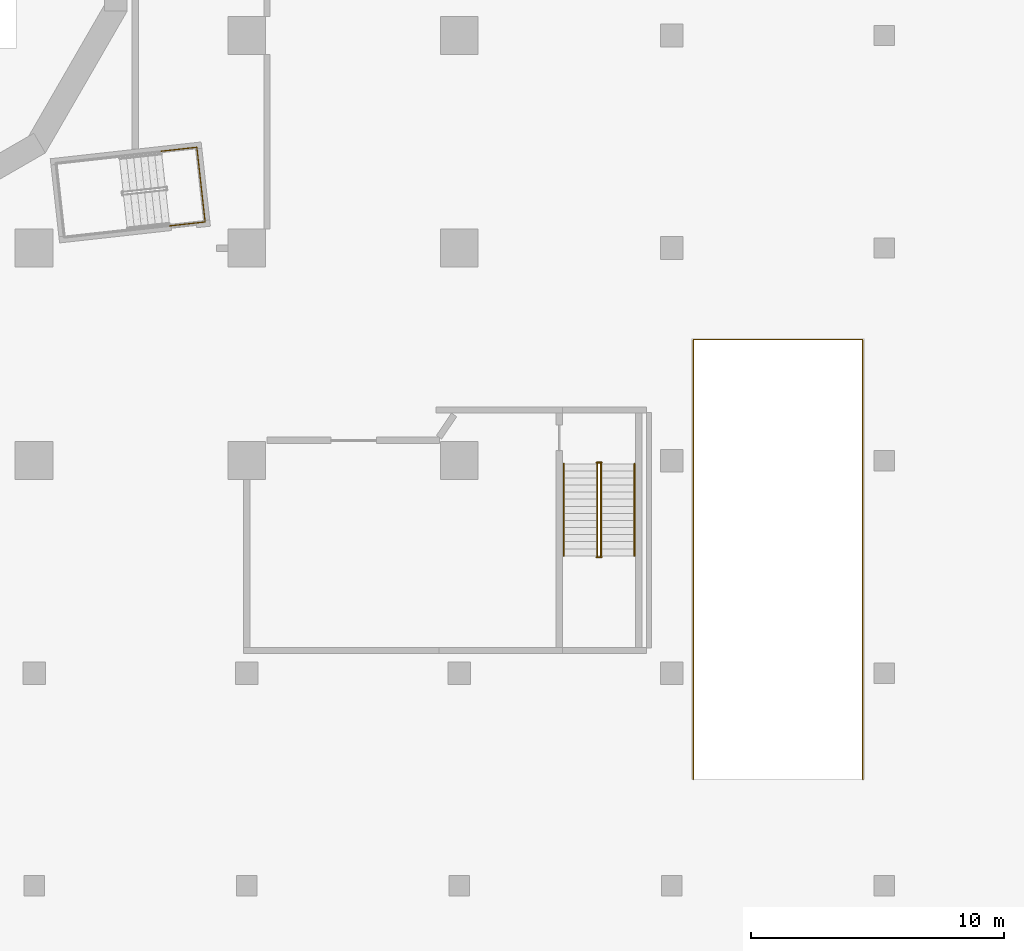
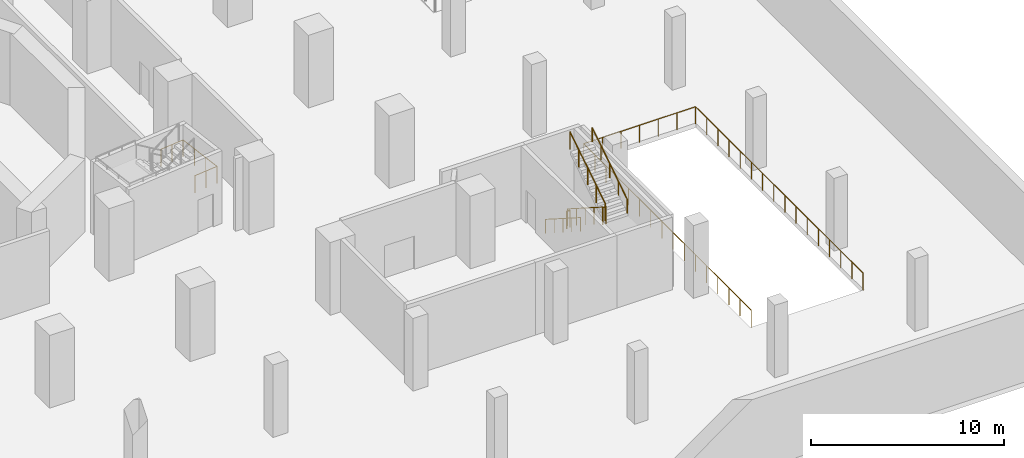
# One storey, part 17 of 20: 8 railings.
"""IFC4 building model written with IfcOpenShell, lengths in metres."""

from ifc_helpers import new_model, si_unit, direction, frame, origin, origin_2d, place, context, subcontext, project, spatial, circle, extrude, material, type_object, element, save


model = new_model("IFC4")

# Units and contexts
model_context = context("Model", 3, precision=1e-05, world=origin(), true_north=direction((0.0, 1.0)))
body_context = subcontext(model_context, "Body", "Model", "MODEL_VIEW")
ifc_project = project(units=[si_unit("LENGTHUNIT", "METRE"), si_unit("AREAUNIT", "SQUARE_METRE"), si_unit("VOLUMEUNIT", "CUBIC_METRE"), si_unit("PLANEANGLEUNIT", "RADIAN"), si_unit("MASSUNIT", "GRAM", prefix="KILO")], contexts=[model_context])

# Site, building, storey
site_placement = place(None, origin())
site = spatial("IfcSite", under=ifc_project, at=site_placement, CompositionType="ELEMENT")
building_placement = place(site_placement, origin())
building = spatial("IfcBuilding", under=site, at=building_placement, Name="Cantera Rosa Tower", CompositionType="ELEMENT")
storey_placement = place(building_placement, frame((0.0, 0.0, -5.0)))
storey = spatial("IfcBuildingStorey", under=building, at=storey_placement, Name="B1", CompositionType="ELEMENT", Elevation=-5.0)

# Railings
ifc_material_1 = material(Name="Steel S355J2 (EN 10025-2)", Category="steel")
railing_type_1 = type_object("IfcRailingType", Name="Edge guard 1100", PredefinedType="GUARDRAIL", material=ifc_material_1)
railing_1_placement = place(storey_placement, frame((34.449951171875, -33.60009765625, 0.0)))
element("IfcRailing", 1, at=railing_1_placement, inside=storey, type_object=railing_type_1, Name="Guard round ramp opening B1", PredefinedType="GUARDRAIL", context=body_context, shape_type="SweptSolid", body=[
    extrude(circle(Radius=0.02392578125, at=origin_2d()), frame((0.0, 0.0, 1.076171875), z_axis=(0.0, 1.0, 0.0), x_axis=(-1.0, 0.0, 0.0)), (0.0, 0.0, 1.0), 17.38330078125),
    extrude(circle(Radius=0.02392578125, at=origin_2d()), frame((0.0, 17.38330078125, 1.076171875), z_axis=(1.0, 0.0, 0.0), x_axis=(0.0, 1.0, 0.0)), (0.0, 0.0, 1.0), 6.699951171875),
    extrude(circle(Radius=0.02392578125, at=origin_2d()), frame((6.699951171875, 17.38330078125, 1.076171875), z_axis=(0.0, -1.0, 0.0), x_axis=(1.0, 0.0, 0.0)), (0.0, 0.0, 1.0), 17.38330078125),
    extrude(circle(Radius=0.02099609375, at=origin_2d()), origin(), (0.0, 0.0, 1.0), 1.052001953125),
    extrude(circle(Radius=0.02099609375, at=origin_2d()), frame((0.0, 1.158935546875, 0.0)), (0.0, 0.0, 1.0), 1.052001953125),
    extrude(circle(Radius=0.02099609375, at=origin_2d()), frame((0.0, 2.31787109375, 0.0)), (0.0, 0.0, 1.0), 1.052001953125),
    extrude(circle(Radius=0.02099609375, at=origin_2d()), frame((0.0, 3.4765625, 0.0)), (0.0, 0.0, 1.0), 1.052001953125),
    extrude(circle(Radius=0.02099609375, at=origin_2d()), frame((0.0, 4.635498046875, 0.0)), (0.0, 0.0, 1.0), 1.052001953125),
    extrude(circle(Radius=0.02099609375, at=origin_2d()), frame((0.0, 5.79443359375, 0.0)), (0.0, 0.0, 1.0), 1.052001953125),
    extrude(circle(Radius=0.02099609375, at=origin_2d()), frame((0.0, 6.953369140625, 0.0)), (0.0, 0.0, 1.0), 1.052001953125),
    extrude(circle(Radius=0.02099609375, at=origin_2d()), frame((0.0, 8.1123046875, 0.0)), (0.0, 0.0, 1.0), 1.052001953125),
    extrude(circle(Radius=0.02099609375, at=origin_2d()), frame((0.0, 9.27099609375, 0.0)), (0.0, 0.0, 1.0), 1.052001953125),
    extrude(circle(Radius=0.02099609375, at=origin_2d()), frame((0.0, 10.429931640625, 0.0)), (0.0, 0.0, 1.0), 1.052001953125),
    extrude(circle(Radius=0.02099609375, at=origin_2d()), frame((0.0, 11.5888671875, 0.0)), (0.0, 0.0, 1.0), 1.052001953125),
    extrude(circle(Radius=0.02099609375, at=origin_2d()), frame((0.0, 12.747802734375, 0.0)), (0.0, 0.0, 1.0), 1.052001953125),
    extrude(circle(Radius=0.02099609375, at=origin_2d()), frame((0.0, 13.90673828125, 0.0)), (0.0, 0.0, 1.0), 1.052001953125),
    extrude(circle(Radius=0.02099609375, at=origin_2d()), frame((0.0, 15.0654296875, 0.0)), (0.0, 0.0, 1.0), 1.052001953125),
    extrude(circle(Radius=0.02099609375, at=origin_2d()), frame((0.0, 16.224365234375, 0.0)), (0.0, 0.0, 1.0), 1.052001953125),
    extrude(circle(Radius=0.02099609375, at=origin_2d()), frame((0.0, 17.38330078125, 0.0)), (0.0, 0.0, 1.0), 1.052001953125),
    extrude(circle(Radius=0.02099609375, at=origin_2d()), frame((1.11669921875, 17.38330078125, 0.0)), (0.0, 0.0, 1.0), 1.052001953125),
    extrude(circle(Radius=0.02099609375, at=origin_2d()), frame((2.2333984375, 17.38330078125, 0.0)), (0.0, 0.0, 1.0), 1.052001953125),
    extrude(circle(Radius=0.02099609375, at=origin_2d()), frame((3.35009765625, 17.38330078125, 0.0)), (0.0, 0.0, 1.0), 1.052001953125),
    extrude(circle(Radius=0.02099609375, at=origin_2d()), frame((4.466552734375, 17.38330078125, 0.0)), (0.0, 0.0, 1.0), 1.052001953125),
    extrude(circle(Radius=0.02099609375, at=origin_2d()), frame((5.583251953125, 17.38330078125, 0.0)), (0.0, 0.0, 1.0), 1.052001953125),
    extrude(circle(Radius=0.02099609375, at=origin_2d()), frame((6.699951171875, 17.38330078125, 0.0)), (0.0, 0.0, 1.0), 1.052001953125),
    extrude(circle(Radius=0.02099609375, at=origin_2d()), frame((6.699951171875, 16.224365234375, 0.0)), (0.0, 0.0, 1.0), 1.052001953125),
    extrude(circle(Radius=0.02099609375, at=origin_2d()), frame((6.699951171875, 15.0654296875, 0.0)), (0.0, 0.0, 1.0), 1.052001953125),
    extrude(circle(Radius=0.02099609375, at=origin_2d()), frame((6.699951171875, 13.90673828125, 0.0)), (0.0, 0.0, 1.0), 1.052001953125),
    extrude(circle(Radius=0.02099609375, at=origin_2d()), frame((6.699951171875, 12.747802734375, 0.0)), (0.0, 0.0, 1.0), 1.052001953125),
    extrude(circle(Radius=0.02099609375, at=origin_2d()), frame((6.699951171875, 11.5888671875, 0.0)), (0.0, 0.0, 1.0), 1.052001953125),
    extrude(circle(Radius=0.02099609375, at=origin_2d()), frame((6.699951171875, 10.429931640625, 0.0)), (0.0, 0.0, 1.0), 1.052001953125),
    extrude(circle(Radius=0.02099609375, at=origin_2d()), frame((6.699951171875, 9.27099609375, 0.0)), (0.0, 0.0, 1.0), 1.052001953125),
    extrude(circle(Radius=0.02099609375, at=origin_2d()), frame((6.699951171875, 8.1123046875, 0.0)), (0.0, 0.0, 1.0), 1.052001953125),
    extrude(circle(Radius=0.02099609375, at=origin_2d()), frame((6.699951171875, 6.953369140625, 0.0)), (0.0, 0.0, 1.0), 1.052001953125),
    extrude(circle(Radius=0.02099609375, at=origin_2d()), frame((6.699951171875, 5.79443359375, 0.0)), (0.0, 0.0, 1.0), 1.052001953125),
    extrude(circle(Radius=0.02099609375, at=origin_2d()), frame((6.699951171875, 4.635498046875, 0.0)), (0.0, 0.0, 1.0), 1.052001953125),
    extrude(circle(Radius=0.02099609375, at=origin_2d()), frame((6.699951171875, 3.4765625, 0.0)), (0.0, 0.0, 1.0), 1.052001953125),
    extrude(circle(Radius=0.02099609375, at=origin_2d()), frame((6.699951171875, 2.31787109375, 0.0)), (0.0, 0.0, 1.0), 1.052001953125),
    extrude(circle(Radius=0.02099609375, at=origin_2d()), frame((6.699951171875, 1.158935546875, 0.0)), (0.0, 0.0, 1.0), 1.052001953125),
    extrude(circle(Radius=0.02099609375, at=origin_2d()), frame((6.699951171875, 0.0, 0.0)), (0.0, 0.0, 1.0), 1.052001953125),
])
ifc_material_2 = material(Name="Steel S355J2 (EN 10025-2)", Category="steel")
railing_type_2 = type_object("IfcRailingType", Name="STAIR GUARD 1100", PredefinedType="GUARDRAIL", material=ifc_material_2)
railing_2_placement = place(storey_placement, frame((13.415771484375, -8.77099609375, 2.5)))
element("IfcRailing", 2, at=railing_2_placement, inside=storey, type_object=railing_type_2, Name="B1 ST-14 stair guard 8", PredefinedType="GUARDRAIL", context=body_context, shape_type="SweptSolid", body=[
    extrude(circle(Radius=0.02392578125, at=origin_2d()), frame((0.0, 0.0, 1.076171875), z_axis=(0.993887921413, 0.110393838913, 0.0), x_axis=(-0.110393838913, 0.993887921413, 0.0)), (0.0, 0.0, 1.0), 1.422119140625),
    extrude(circle(Radius=0.02392578125, at=origin_2d()), frame((1.413330078125, 0.156982421875, 1.076171875), z_axis=(0.110314237986, -0.993896759678, 0.0), x_axis=(0.993896759678, 0.110314237986, 0.0)), (0.0, 0.0, 1.0), 2.969970703125),
    extrude(circle(Radius=0.02392578125, at=origin_2d()), frame((1.740966796875, -2.794921875, 1.076171875), z_axis=(-0.993887921413, -0.110393838913, 0.0), x_axis=(0.110393838913, -0.993887921413, 0.0)), (0.0, 0.0, 1.0), 1.422119140625),
    extrude(circle(Radius=0.02099609375, at=origin_2d()), origin(), (0.0, 0.0, 1.0), 1.052001953125),
    extrude(circle(Radius=0.02099609375, at=origin_2d()), frame((0.70654296875, 0.07861328125, 0.0)), (0.0, 0.0, 1.0), 1.052001953125),
    extrude(circle(Radius=0.02099609375, at=origin_2d()), frame((1.413330078125, 0.156982421875, 0.0)), (0.0, 0.0, 1.0), 1.052001953125),
    extrude(circle(Radius=0.02099609375, at=origin_2d()), frame((1.5224609375, -0.826904296875, 0.0)), (0.0, 0.0, 1.0), 1.052001953125),
    extrude(circle(Radius=0.02099609375, at=origin_2d()), frame((1.6318359375, -1.81103515625, 0.0)), (0.0, 0.0, 1.0), 1.052001953125),
    extrude(circle(Radius=0.02099609375, at=origin_2d()), frame((1.740966796875, -2.794921875, 0.0)), (0.0, 0.0, 1.0), 1.052001953125),
    extrude(circle(Radius=0.02099609375, at=origin_2d()), frame((1.0341796875, -2.87353515625, 0.0)), (0.0, 0.0, 1.0), 1.052001953125),
    extrude(circle(Radius=0.02099609375, at=origin_2d()), frame((0.32763671875, -2.951904296875, 0.0)), (0.0, 0.0, 1.0), 1.052001953125),
])
railing_3_placement = place(storey_placement, frame((30.65087890625, -21.125, 0.178466796875)))
element("IfcRailing", 3, at=railing_3_placement, inside=storey, type_object=railing_type_2, Name="B1 ST-SE stair guard 1", PredefinedType="GUARDRAIL", context=body_context, shape_type="SweptSolid", body=[
    extrude(circle(Radius=0.02392578125, at=origin_2d()), frame((0.0, 0.0, 1.076171875), z_axis=(0.0, -0.843111507901, 0.53773877045), x_axis=(1.0, 0.0, 0.0)), (0.0, 0.0, 1.0), 4.317138671875),
    extrude(circle(Radius=0.02099609375, at=origin_2d()), origin(), (0.0, 0.0, 1.0), 1.052001953125),
    extrude(circle(Radius=0.02099609375, at=origin_2d()), frame((0.0, -0.909912109375, 0.580322265625)), (0.0, 0.0, 1.0), 1.052001953125),
    extrude(circle(Radius=0.02099609375, at=origin_2d()), frame((0.0, -1.81982421875, 1.16064453125)), (0.0, 0.0, 1.0), 1.052001953125),
    extrude(circle(Radius=0.02099609375, at=origin_2d()), frame((0.0, -2.72998046875, 1.7412109375)), (0.0, 0.0, 1.0), 1.052001953125),
    extrude(circle(Radius=0.02099609375, at=origin_2d()), frame((0.0, -3.639892578125, 2.321533203125)), (0.0, 0.0, 1.0), 1.052001953125),
])
railing_4_placement = place(storey_placement, frame((30.625, -24.81494140625, 2.5)))
element("IfcRailing", 4, at=railing_4_placement, inside=storey, type_object=railing_type_2, Name="B1 ST-SE stair guard 2", PredefinedType="GUARDRAIL", context=body_context, shape_type="SweptSolid", body=[
    extrude(circle(Radius=0.02392578125, at=origin_2d()), frame((0.0, 0.0, 1.076171875), z_axis=(1.0, 0.0, 0.0), x_axis=(0.0, 1.0, 0.0)), (0.0, 0.0, 1.0), 0.199951171875),
    extrude(circle(Radius=0.02099609375, at=origin_2d()), origin(), (0.0, 0.0, 1.0), 1.052001953125),
    extrude(circle(Radius=0.02099609375, at=origin_2d()), frame((0.199951171875, 0.0, 0.0)), (0.0, 0.0, 1.0), 1.052001953125),
])
railing_5_placement = place(storey_placement, frame((30.799072265625, -24.764892578125, 2.678466796875)))
element("IfcRailing", 5, at=railing_5_placement, inside=storey, type_object=railing_type_2, Name="B1 ST-SE stair guard 3", PredefinedType="GUARDRAIL", context=body_context, shape_type="SweptSolid", body=[
    extrude(circle(Radius=0.02392578125, at=origin_2d()), frame((0.0, 0.0, 1.076171875), z_axis=(0.0, 0.843111507901, 0.53773877045), x_axis=(-1.0, 0.0, 0.0)), (0.0, 0.0, 1.0), 4.317138671875),
    extrude(circle(Radius=0.02099609375, at=origin_2d()), origin(), (0.0, 0.0, 1.0), 1.052001953125),
    extrude(circle(Radius=0.02099609375, at=origin_2d()), frame((0.0, 0.909912109375, 0.580322265625)), (0.0, 0.0, 1.0), 1.052001953125),
    extrude(circle(Radius=0.02099609375, at=origin_2d()), frame((0.0, 1.81982421875, 1.16064453125)), (0.0, 0.0, 1.0), 1.052001953125),
    extrude(circle(Radius=0.02099609375, at=origin_2d()), frame((0.0, 2.72998046875, 1.7412109375)), (0.0, 0.0, 1.0), 1.052001953125),
    extrude(circle(Radius=0.02099609375, at=origin_2d()), frame((0.0, 3.639892578125, 2.321533203125)), (0.0, 0.0, 1.0), 1.052001953125),
])
railing_6_placement = place(storey_placement, frame((30.625, -21.074951171875, 0.0)))
element("IfcRailing", 6, at=railing_6_placement, inside=storey, type_object=railing_type_2, Name="B1 ST-SE stair guard 4", PredefinedType="GUARDRAIL", context=body_context, shape_type="SweptSolid", body=[
    extrude(circle(Radius=0.02392578125, at=origin_2d()), frame((0.0, 0.0, 1.076171875), z_axis=(1.0, 0.0, 0.0), x_axis=(0.0, 1.0, 0.0)), (0.0, 0.0, 1.0), 0.199951171875),
    extrude(circle(Radius=0.02099609375, at=origin_2d()), origin(), (0.0, 0.0, 1.0), 1.052001953125),
    extrude(circle(Radius=0.02099609375, at=origin_2d()), frame((0.199951171875, 0.0, 0.0)), (0.0, 0.0, 1.0), 1.052001953125),
])
ifc_material_3 = material(Name="Steel S355J2 (EN 10025-2)", Category="steel")
railing_type_3 = type_object("IfcRailingType", Name="STAIR HANDRAIL 900", PredefinedType="HANDRAIL", material=ifc_material_3)
railing_7_placement = place(storey_placement, frame((29.324951171875, -21.125, 0.178466796875)))
element("IfcRailing", 7, at=railing_7_placement, inside=storey, type_object=railing_type_3, Name="B1 ST-SE stair handrail 1", PredefinedType="HANDRAIL", context=body_context, shape_type="SweptSolid", body=[
    extrude(circle(Radius=0.02392578125, at=origin_2d()), frame((0.0, 0.0, 0.8759765625), z_axis=(0.0, -0.843111507901, 0.53773877045), x_axis=(1.0, 0.0, 0.0)), (0.0, 0.0, 1.0), 4.317138671875),
    extrude(circle(Radius=0.02099609375, at=origin_2d()), origin(), (0.0, 0.0, 1.0), 0.851806640625),
    extrude(circle(Radius=0.02099609375, at=origin_2d()), frame((0.0, -0.909912109375, 0.580322265625)), (0.0, 0.0, 1.0), 0.851806640625),
    extrude(circle(Radius=0.02099609375, at=origin_2d()), frame((0.0, -1.81982421875, 1.16064453125)), (0.0, 0.0, 1.0), 0.851806640625),
    extrude(circle(Radius=0.02099609375, at=origin_2d()), frame((0.0, -2.72998046875, 1.7412109375)), (0.0, 0.0, 1.0), 0.851806640625),
    extrude(circle(Radius=0.02099609375, at=origin_2d()), frame((0.0, -3.639892578125, 2.321533203125)), (0.0, 0.0, 1.0), 0.851806640625),
])
railing_8_placement = place(storey_placement, frame((32.125, -24.764892578125, 2.678466796875)))
element("IfcRailing", 8, at=railing_8_placement, inside=storey, type_object=railing_type_3, Name="B1 ST-SE stair handrail 2", PredefinedType="HANDRAIL", context=body_context, shape_type="SweptSolid", body=[
    extrude(circle(Radius=0.02392578125, at=origin_2d()), frame((0.0, 0.0, 0.8759765625), z_axis=(0.0, 0.843111507901, 0.53773877045), x_axis=(-1.0, 0.0, 0.0)), (0.0, 0.0, 1.0), 4.317138671875),
    extrude(circle(Radius=0.02099609375, at=origin_2d()), origin(), (0.0, 0.0, 1.0), 0.851806640625),
    extrude(circle(Radius=0.02099609375, at=origin_2d()), frame((0.0, 0.909912109375, 0.580322265625)), (0.0, 0.0, 1.0), 0.851806640625),
    extrude(circle(Radius=0.02099609375, at=origin_2d()), frame((0.0, 1.81982421875, 1.16064453125)), (0.0, 0.0, 1.0), 0.851806640625),
    extrude(circle(Radius=0.02099609375, at=origin_2d()), frame((0.0, 2.72998046875, 1.7412109375)), (0.0, 0.0, 1.0), 0.851806640625),
    extrude(circle(Radius=0.02099609375, at=origin_2d()), frame((0.0, 3.639892578125, 2.321533203125)), (0.0, 0.0, 1.0), 0.851806640625),
])

save(model, "model.ifc")
